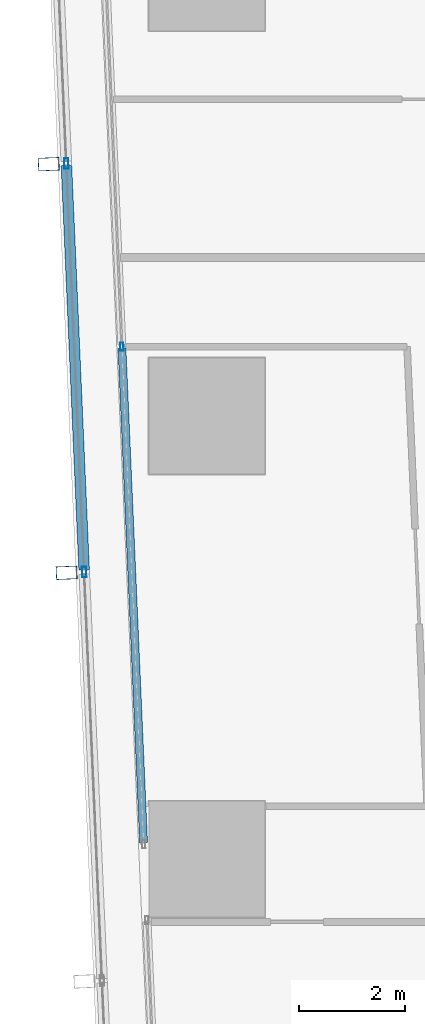
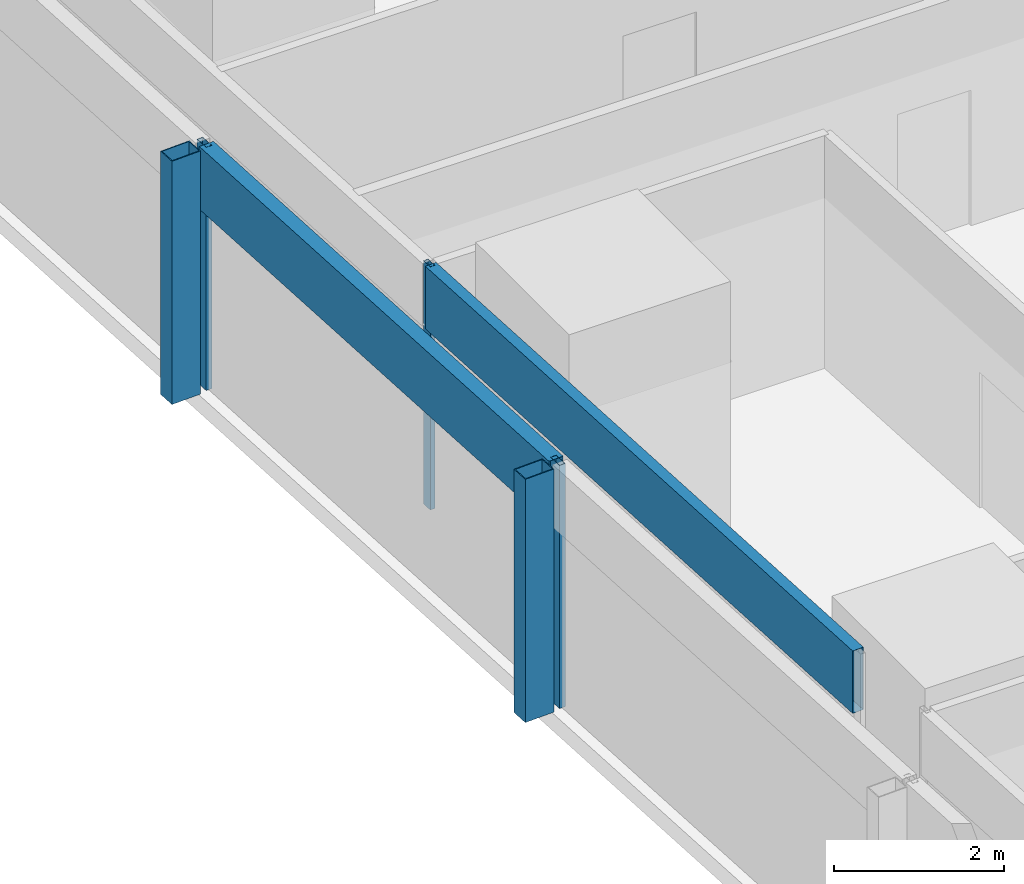
# One storey, part 7 of 42: 7 members, 2 elements without a shape of their own.
"""IFC4 building model written with IfcOpenShell, lengths in metres."""

from ifc_helpers import new_model, si_unit, direction, frame, origin, origin_2d, place, context, subcontext, project, spatial, hollow_rectangle, extrude, material, material_profile, profile_set, type_object, element, aggregate, save


model = new_model("IFC4")

# Units and contexts
model_context = context("Model", 3, precision=1e-05, world=origin(), true_north=direction((0.0, 1.0)))
body_context = subcontext(model_context, "Body", "Model", "MODEL_VIEW")
ifc_project = project(units=[si_unit("LENGTHUNIT", "METRE"), si_unit("AREAUNIT", "SQUARE_METRE"), si_unit("VOLUMEUNIT", "CUBIC_METRE"), si_unit("PLANEANGLEUNIT", "RADIAN"), si_unit("MASSUNIT", "GRAM", prefix="KILO")], contexts=[model_context])

# Site, building, storey
site_placement = place(None, origin())
site = spatial("IfcSite", under=ifc_project, at=site_placement, CompositionType="ELEMENT")
building_placement = place(site_placement, origin())
building = spatial("IfcBuilding", under=site, at=building_placement, Name="Rekha Terrace Tower", CompositionType="ELEMENT")
storey_placement = place(building_placement, frame((0.0, 0.0, 70.39990234375)))
storey = spatial("IfcBuildingStorey", under=building, at=storey_placement, Name="L17", CompositionType="ELEMENT", Elevation=70.39990234375)

# Curtain wall, members
ifc_material_1 = material(Name="Aluminium framing", Category="aluminium")
curtain_wall_type_1 = type_object("IfcCurtainWallType", Name="CW2 double skin outer glazing", PredefinedType="USERDEFINED", material=ifc_material_1)
curtain_wall_1_placement = place(storey_placement, origin())
curtain_wall_1 = element("IfcCurtainWall", 1, at=curtain_wall_1_placement, inside=storey, type_object=curtain_wall_type_1, Name="CW2 double skin outer glazing", ObjectType="DOUBLE SKIN OUTER GLAZING", PredefinedType="USERDEFINED")
ifc_material_2 = material(Name="Steel S355 with fluorocarbon finish", Category="steel")
ifc_material_profile_1 = material_profile(ifc_material_2, hollow_rectangle(XDim=0.25, YDim=0.39990234375, WallThickness=0.012451171875, at=origin_2d()), Name="RHS400x250x12.5")
ifc_profile_set_1 = profile_set([ifc_material_profile_1], Name="Steel S355 with fluorocarbon finish")
member_type_1 = type_object("IfcMemberType", Name="BL1 facade blade RHS 400 x 250", PredefinedType="USERDEFINED", material=ifc_profile_set_1)
member_1_placement = place(storey_placement, frame((5.40283203125, 29.97119140625, 0.0), z_axis=(0.0, 0.0, 1.0), x_axis=(0.04368215933, -0.999045478923, 0.0)))
member_1 = element("IfcMember", 2, at=member_1_placement, type_object=member_type_1, Name="Facade blade", ObjectType="FACADE BLADE", PredefinedType="USERDEFINED", context=body_context, shape_type="SweptSolid", body=[
    extrude(hollow_rectangle(XDim=0.25, YDim=0.39990234375, WallThickness=0.012451171875, at=origin_2d()), origin(), (0.0, 0.0, 1.0), 3.5),
])
member_2_placement = place(storey_placement, frame((5.74169921875, 22.226806640625, 0.0), z_axis=(0.0, 0.0, 1.0), x_axis=(0.04368215933, -0.999045478923, 0.0)))
member_2 = element("IfcMember", 3, at=member_2_placement, type_object=member_type_1, Name="Facade blade", ObjectType="FACADE BLADE", PredefinedType="USERDEFINED", context=body_context, shape_type="SweptSolid", body=[
    extrude(hollow_rectangle(XDim=0.25, YDim=0.39990234375, WallThickness=0.012451171875, at=origin_2d()), origin(), (0.0, 0.0, 1.0), 3.5),
])

curtain_wall_type_2 = type_object("IfcCurtainWallType", Name="CW1 double skin inner glazing", PredefinedType="USERDEFINED", material=ifc_material_1)
curtain_wall_2_placement = place(storey_placement, origin())
curtain_wall_2 = element("IfcCurtainWall", 4, at=curtain_wall_2_placement, inside=storey, type_object=curtain_wall_type_2, Name="CW1 double skin inner glazing", ObjectType="DOUBLE SKIN INNER GLAZING", PredefinedType="USERDEFINED")
ifc_material_3 = material(Name="Aluminium mullion section", Category="aluminium")
ifc_material_profile_2 = material_profile(ifc_material_3, hollow_rectangle(XDim=0.06494140625, YDim=0.14990234375, WallThickness=0.00390625, at=origin_2d()), Name="AL RHS 65x150")
ifc_profile_set_2 = profile_set([ifc_material_profile_2], Name="Aluminium mullion section")
member_type_2 = type_object("IfcMemberType", Name="CW1 mullion RHS 65 x 150", PredefinedType="MULLION", material=ifc_profile_set_2)
member_3_placement = place(storey_placement, frame((6.790283203125, 26.5126953125, 0.0), z_axis=(0.0, 0.0, 1.0), x_axis=(0.999045462133, 0.043682543337, 0.0)))
member_3 = element("IfcMember", 5, at=member_3_placement, type_object=member_type_2, Name="CW1 mullion 3", PredefinedType="MULLION", context=body_context, shape_type="SweptSolid", body=[
    extrude(hollow_rectangle(XDim=0.06494140625, YDim=0.14990234375, WallThickness=0.00390625, at=origin_2d()), origin(), (0.0, 0.0, 1.0), 3.5),
])
ifc_material_4 = material(Name="Insulated aluminium spandrel box", Category="aluminium")
ifc_material_profile_3 = material_profile(ifc_material_4, hollow_rectangle(XDim=0.14990234375, YDim=0.89990234375, WallThickness=0.0029296875, at=origin_2d()), Name="AL SPANDREL BOX 150x900")
ifc_profile_set_3 = profile_set([ifc_material_profile_3], Name="Insulated aluminium spandrel box")
member_type_3 = type_object("IfcMemberType", Name="CW1 spandrel transom 150 x 900", PredefinedType="USERDEFINED", material=ifc_profile_set_3)
member_4_placement = place(storey_placement, frame((6.791748046875, 26.480224609375, 3.050048828125), z_axis=(0.043688050697, -0.999045221312, 0.0), x_axis=(0.999045221312, 0.043688050697, 0.0)))
member_4 = element("IfcMember", 6, at=member_4_placement, type_object=member_type_3, Name="CW1 spandrel transom 3", ObjectType="TRANSOM", PredefinedType="USERDEFINED", context=body_context, shape_type="SweptSolid", body=[
    extrude(hollow_rectangle(XDim=0.14990234375, YDim=0.89990234375, WallThickness=0.0029296875, at=origin_2d()), origin(), (0.0, 0.0, 1.0), 9.377197265625),
])
aggregate(curtain_wall_2, [member_3, member_4])

# Member
ifc_material_profile_4 = material_profile(ifc_material_3, hollow_rectangle(XDim=0.080078125, YDim=0.199951171875, WallThickness=0.00390625, at=origin_2d()), Name="AL RHS 80x200")
ifc_profile_set_4 = profile_set([ifc_material_profile_4], Name="Aluminium mullion section")
member_type_4 = type_object("IfcMemberType", Name="CW2 mullion RHS 80 x 200", PredefinedType="MULLION", material=ifc_profile_set_4)
member_5_placement = place(storey_placement, frame((5.737548828125, 29.98583984375, 0.0), z_axis=(0.0, 0.0, 1.0), x_axis=(0.999045462131, 0.043682543372, 0.0)))
member_5 = element("IfcMember", 7, at=member_5_placement, type_object=member_type_4, Name="CW2 mullion 3", PredefinedType="MULLION", context=body_context, shape_type="SweptSolid", body=[
    extrude(hollow_rectangle(XDim=0.080078125, YDim=0.199951171875, WallThickness=0.00390625, at=origin_2d()), origin(), (0.0, 0.0, 1.0), 3.5),
])

member_6_placement = place(storey_placement, frame((6.076171875, 22.241455078125, 0.0), z_axis=(0.0, 0.0, 1.0), x_axis=(0.999045462131, 0.043682543372, 0.0)))
member_6 = element("IfcMember", 8, at=member_6_placement, type_object=member_type_4, Name="CW2 mullion 4", PredefinedType="MULLION", context=body_context, shape_type="SweptSolid", body=[
    extrude(hollow_rectangle(XDim=0.080078125, YDim=0.199951171875, WallThickness=0.00390625, at=origin_2d()), origin(), (0.0, 0.0, 1.0), 3.5),
])

ifc_material_profile_5 = material_profile(ifc_material_4, hollow_rectangle(XDim=0.199951171875, YDim=0.89990234375, WallThickness=0.0029296875, at=origin_2d()), Name="AL SPANDREL BOX 200x900")
ifc_profile_set_5 = profile_set([ifc_material_profile_5], Name="Insulated aluminium spandrel box")
member_type_5 = type_object("IfcMemberType", Name="CW2 spandrel transom 200 x 900", PredefinedType="USERDEFINED", material=ifc_profile_set_5)
member_7_placement = place(storey_placement, frame((5.7392578125, 29.94580078125, 3.050048828125), z_axis=(0.04369270591, -0.99904501773, 0.0), x_axis=(0.99904501773, 0.04369270591, 0.0)))
member_7 = element("IfcMember", 9, at=member_7_placement, type_object=member_type_5, Name="CW2 spandrel transom 3", ObjectType="TRANSOM", PredefinedType="USERDEFINED", context=body_context, shape_type="SweptSolid", body=[
    extrude(hollow_rectangle(XDim=0.199951171875, YDim=0.89990234375, WallThickness=0.0029296875, at=origin_2d()), origin(), (0.0, 0.0, 1.0), 7.671875),
])

aggregate(curtain_wall_1, [member_5, member_6, member_7, member_1, member_2])

save(model, "model.ifc")
